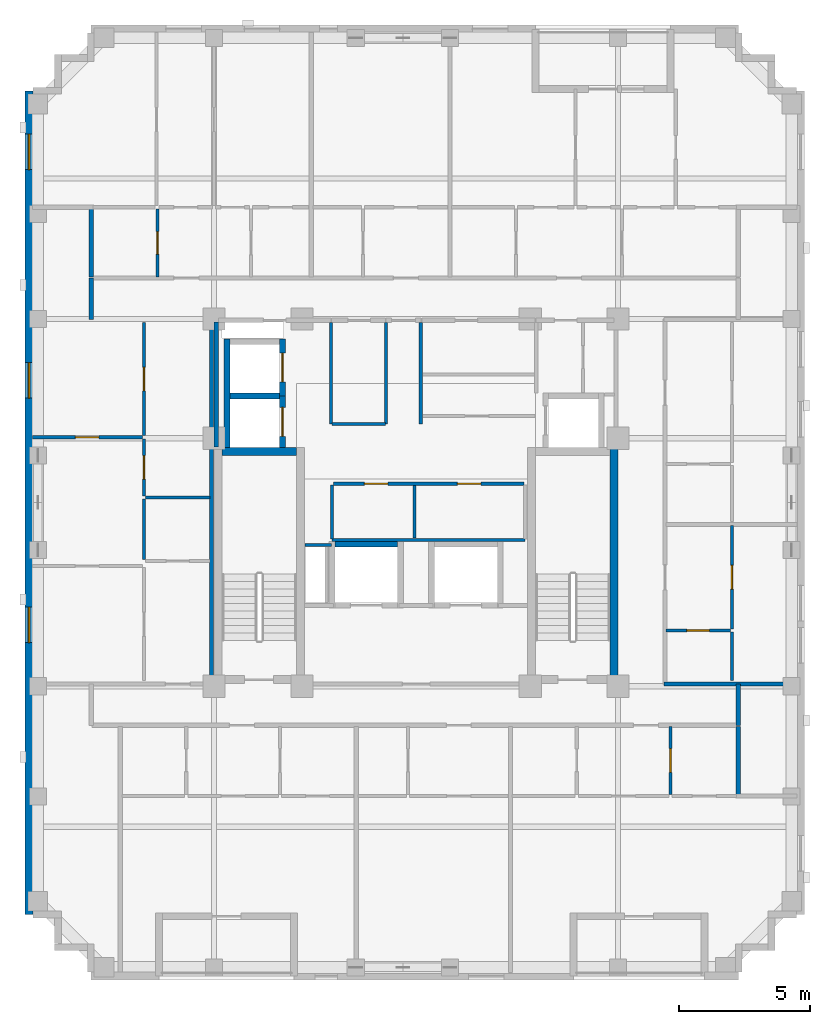
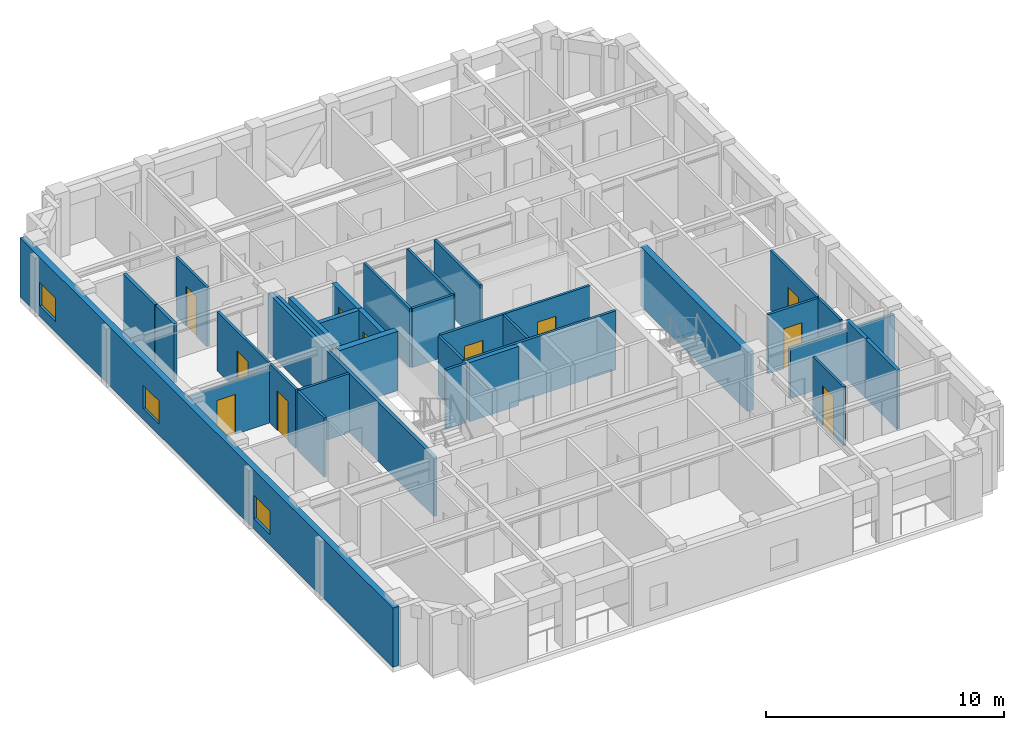
# One storey, part 4 of 11: 34 walls, 11 doors, 3 windows, 14 openings.
"""IFC4 building model written with IfcOpenShell, lengths in metres."""

from ifc_helpers import new_model, si_unit, derived_unit, direction, frame, frame_2d, origin, place, context, subcontext, project, spatial, rectangle, extrude, material, layer, layer_set, type_object, element, fill, save


model = new_model("IFC4")

# Units and contexts
model_context = context("Model", 3, precision=1e-05, world=origin(), true_north=direction((0.0, 1.0)))
body_context = subcontext(model_context, "Body", "Model", "MODEL_VIEW")
ifc_project = project(units=[si_unit("LENGTHUNIT", "METRE"), si_unit("AREAUNIT", "SQUARE_METRE"), si_unit("VOLUMEUNIT", "CUBIC_METRE"), si_unit("PLANEANGLEUNIT", "RADIAN"), si_unit("MASSUNIT", "GRAM", prefix="KILO"), derived_unit("THERMALTRANSMITTANCEUNIT", [(si_unit("MASSUNIT", "GRAM", prefix="KILO"), 1), (si_unit("TIMEUNIT", "SECOND"), -3), (si_unit("THERMODYNAMICTEMPERATUREUNIT", "KELVIN"), -1)])], contexts=[model_context])

# Site, building, storey
site_placement = place(None, origin())
site = spatial("IfcSite", under=ifc_project, at=site_placement, CompositionType="ELEMENT")
building_placement = place(site_placement, origin())
building = spatial("IfcBuilding", under=site, at=building_placement, Name="Korrvale Station Residences", CompositionType="ELEMENT")
storey_placement = place(building_placement, frame((0.0, 0.0, 210.699951171875)))
storey = spatial("IfcBuildingStorey", under=building, at=storey_placement, Name="L61", CompositionType="ELEMENT", Elevation=210.699951171875)

# Walls
ifc_material_1 = material(Name="Concrete C50/60", Category="concrete")
ifc_layer_1 = layer(ifc_material_1, 0.300048828125, Name="Concrete C50/60")
ifc_layer_set_1 = layer_set([ifc_layer_1], Name="Concrete C50/60")
wall_type_1 = type_object("IfcWallType", Name="WAL-CORE-300-C50", PredefinedType="SHEAR", material=ifc_layer_set_1)
wall_1_placement = place(storey_placement, frame((18.10009765625, 23.949951171875, 0.0), z_axis=(0.0, 0.0, 1.0), x_axis=(1.0, 0.0, 0.0)))
element("IfcWall", 1, at=wall_1_placement, inside=storey, type_object=wall_type_1, Name="L61 ST-1 Core Shear Wall North", PredefinedType="SHEAR", context=body_context, shape_type="SweptSolid", body=[
    extrude(rectangle(XDim=2.849853515625, YDim=0.300048828125, at=frame_2d((1.4248046875, 0.0))), origin(), (0.0, 0.0, 1.0), 3.0400390625),
])
wall_2_placement = place(storey_placement, frame((33.050048828125, 15.10009765625, 0.0), z_axis=(0.0, 0.0, 1.0), x_axis=(0.0, 1.0, 0.0)))
element("IfcWall", 2, at=wall_2_placement, inside=storey, type_object=wall_type_1, Name="L61 ST-2 Core Shear Wall East", PredefinedType="SHEAR", context=body_context, shape_type="SweptSolid", body=[
    extrude(rectangle(XDim=9.0, YDim=0.300048828125, at=frame_2d((4.5, 0.0))), origin(), (0.0, 0.0, 1.0), 3.0400390625),
])

# Wall, openings, windows
ifc_material_2 = material(Name="Precast concrete C45/55", Category="concrete")
ifc_layer_2 = layer(ifc_material_2, 0.300048828125, Name="Precast concrete C45/55")
ifc_layer_set_2 = layer_set([ifc_layer_2], Name="Precast concrete C45/55")
wall_type_2 = type_object("IfcWallType", Name="WAL-EXT-PC300", PredefinedType="SOLIDWALL", material=ifc_layer_set_2)
wall_3_placement = place(storey_placement, frame((10.75, 6.300048828125, 0.0), z_axis=(0.0, 0.0, 1.0), x_axis=(0.0, 1.0, 0.0)))
wall_3 = element("IfcWall", 3, at=wall_3_placement, inside=storey, type_object=wall_type_2, Name="L61 West Exterior Precast Wall 1", PredefinedType="SOLIDWALL", context=body_context, shape_type="SweptSolid", body=[
    extrude(rectangle(XDim=31.39990234375, YDim=0.300048828125, at=frame_2d((15.699951171875, 0.0))), origin(), (0.0, 0.0, 1.0), 3.0400390625),
])
opening_1_placement = place(wall_3_placement, frame((28.39599609375, 0.0, 0.550048828125)))
opening_1 = element("IfcOpeningElement", 4, at=opening_1_placement, cuts=wall_3, Name="Opening W-10", PredefinedType="OPENING", context=body_context, shape_type="SweptSolid", body=[
    extrude(rectangle(XDim=1.35009765625, YDim=1.199951171875, at=frame_2d((0.675048828125, 0.60009765625))), frame((0.0, 0.16015625, 0.0), z_axis=(0.0, -1.0, 0.0), x_axis=(1.0, 0.0, 0.0)), (0.0, 0.0, 1.0), 0.320068359375),
])
opening_2_placement = place(wall_3_placement, frame((10.366943359375, 0.0, 0.550048828125)))
opening_2 = element("IfcOpeningElement", 5, at=opening_2_placement, cuts=wall_3, Name="Opening W-10", PredefinedType="OPENING", context=body_context, shape_type="SweptSolid", body=[
    extrude(rectangle(XDim=1.35009765625, YDim=1.199951171875, at=frame_2d((0.675048828125, 0.60009765625))), frame((0.0, 0.16015625, 0.0), z_axis=(0.0, -1.0, 0.0), x_axis=(1.0, 0.0, 0.0)), (0.0, 0.0, 1.0), 0.320068359375),
])
opening_3_placement = place(wall_3_placement, frame((19.68310546875, 0.0, 0.550048828125)))
opening_3 = element("IfcOpeningElement", 6, at=opening_3_placement, cuts=wall_3, Name="Opening W-10", PredefinedType="OPENING", context=body_context, shape_type="SweptSolid", body=[
    extrude(rectangle(XDim=1.35009765625, YDim=1.199951171875, at=frame_2d((0.675048828125, 0.60009765625))), frame((0.0, 0.16015625, 0.0), z_axis=(0.0, -1.0, 0.0), x_axis=(1.0, 0.0, 0.0)), (0.0, 0.0, 1.0), 0.320068359375),
])
ifc_material_3 = material(Name="Thermally broken aluminium frame with triple low-e glazing", Category="aluminium")
window_type = type_object("IfcWindowType", Name="WIN-W10", PartitioningType="SINGLE_PANEL", PredefinedType="WINDOW", material=ifc_material_3)
window_1_placement = place(opening_1_placement, origin())
window_1 = element("IfcWindow", 7, at=window_1_placement, inside=storey, type_object=window_type, Name="L61 Punched Window 04", OverallHeight=1.199951171875, OverallWidth=1.35009765625, PartitioningType="SINGLE_PANEL", PredefinedType="WINDOW", context=body_context, shape_type="SweptSolid", body=[
    extrude(rectangle(XDim=1.35009765625, YDim=1.199951171875, at=frame_2d((0.675048828125, 0.60009765625))), frame((0.0, 0.030029296875, 0.0), z_axis=(0.0, -1.0, 0.0), x_axis=(1.0, 0.0, 0.0)), (0.0, 0.0, 1.0), 0.06005859375),
])
fill(opening_1, window_1)
window_2_placement = place(opening_2_placement, origin())
window_2 = element("IfcWindow", 8, at=window_2_placement, inside=storey, type_object=window_type, Name="L61 Punched Window 11", OverallHeight=1.199951171875, OverallWidth=1.35009765625, PartitioningType="SINGLE_PANEL", PredefinedType="WINDOW", context=body_context, shape_type="SweptSolid", body=[
    extrude(rectangle(XDim=1.35009765625, YDim=1.199951171875, at=frame_2d((0.675048828125, 0.60009765625))), frame((0.0, 0.030029296875, 0.0), z_axis=(0.0, -1.0, 0.0), x_axis=(1.0, 0.0, 0.0)), (0.0, 0.0, 1.0), 0.06005859375),
])
fill(opening_2, window_2)
window_3_placement = place(opening_3_placement, origin())
window_3 = element("IfcWindow", 9, at=window_3_placement, inside=storey, type_object=window_type, Name="L61 Punched Window 12", OverallHeight=1.199951171875, OverallWidth=1.35009765625, PartitioningType="SINGLE_PANEL", PredefinedType="WINDOW", context=body_context, shape_type="SweptSolid", body=[
    extrude(rectangle(XDim=1.35009765625, YDim=1.199951171875, at=frame_2d((0.675048828125, 0.60009765625))), frame((0.0, 0.030029296875, 0.0), z_axis=(0.0, -1.0, 0.0), x_axis=(1.0, 0.0, 0.0)), (0.0, 0.0, 1.0), 0.06005859375),
])
fill(opening_3, window_3)

# Walls
ifc_material_4 = material(Name="Acoustic steel-stud gypsum board partition", Category="steel")
ifc_layer_3 = layer(ifc_material_4, 0.1201171875, Name="Acoustic steel-stud gypsum board partition")
ifc_layer_set_3 = layer_set([ifc_layer_3], Name="Acoustic steel-stud gypsum board partition")
wall_type_3 = type_object("IfcWallType", Name="WAL-PART-125", PredefinedType="PARTITIONING", material=ifc_layer_set_3)
wall_4_placement = place(storey_placement, frame((22.280029296875, 20.3798828125, 0.0), z_axis=(0.0, 0.0, 1.0), x_axis=(-1.0, 0.0, 0.0)))
element("IfcWall", 10, at=wall_4_placement, inside=storey, type_object=wall_type_3, Name="L61 Core Partition CW-RSWT-N", PredefinedType="PARTITIONING", context=body_context, shape_type="SweptSolid", body=[
    extrude(rectangle(XDim=1.02001953125, YDim=0.1201171875, at=frame_2d((0.510009765625, 0.0))), origin(), (0.0, 0.0, 1.0), 3.0400390625),
])
for number, where, z_axis, x_axis, name in (
    (11, (24.360107421875, 25.0, 0.0), (0.0, 0.0, 1.0), (0.0, 1.0, 0.0), "L61 Core Partition CW-PSG-W"),
    (12, (25.679931640625, 25.0, 0.0), (0.0, 0.0, 1.0), (0.0, 1.0, 0.0), "L61 Core Partition CW-PSG-E"),
):
    element("IfcWall", number, at=place(storey_placement, frame(where, z_axis=z_axis, x_axis=x_axis)), inside=storey, type_object=wall_type_3, Name=name, PredefinedType="PARTITIONING", context=body_context, shape_type="SweptSolid", body=[
        extrude(rectangle(XDim=3.8701171875, YDim=0.1201171875, at=frame_2d((1.93505859375, 0.0))), origin(), (0.0, 0.0, 1.0), 3.0400390625),
    ])
wall_5_placement = place(storey_placement, frame((22.260009765625, 25.0, 0.0), z_axis=(0.0, 0.0, 1.0), x_axis=(0.0, 1.0, 0.0)))
element("IfcWall", 13, at=wall_5_placement, inside=storey, type_object=wall_type_3, Name="L61 Core Partition CW-FPLW-W", PredefinedType="PARTITIONING", context=body_context, shape_type="SweptSolid", body=[
    extrude(rectangle(XDim=3.860107421875, YDim=0.1201171875, at=frame_2d((1.93017578125, 0.0))), origin(), (0.0, 0.0, 1.0), 3.0400390625),
])
wall_6_placement = place(storey_placement, frame((22.300048828125, 25.0, 0.0), z_axis=(0.0, 0.0, 1.0), x_axis=(1.0, 0.0, 0.0)))
element("IfcWall", 14, at=wall_6_placement, inside=storey, type_object=wall_type_3, Name="L61 Core Partition CW-FPLW-S", PredefinedType="PARTITIONING", context=body_context, shape_type="SweptSolid", body=[
    extrude(rectangle(XDim=2.0400390625, YDim=0.1201171875, at=frame_2d((1.02001953125, 0.0))), origin(), (0.0, 0.0, 1.0), 3.0400390625),
])
wall_7_placement = place(storey_placement, frame((22.300048828125, 20.580078125, 0.0), z_axis=(0.0, 0.0, 1.0), x_axis=(1.0, 0.0, 0.0)))
element("IfcWall", 15, at=wall_7_placement, inside=storey, type_object=wall_type_3, Name="L61 Core Partition CW-FPM-S", PredefinedType="PARTITIONING", context=body_context, shape_type="SweptSolid", body=[
    extrude(rectangle(XDim=7.349853515625, YDim=0.1201171875, at=frame_2d((3.6748046875, 0.0))), origin(), (0.0, 0.0, 1.0), 3.0400390625),
])
wall_8_placement = place(storey_placement, frame((22.300048828125, 20.6201171875, 0.0), z_axis=(0.0, 0.0, 1.0), x_axis=(0.0, 1.0, 0.0)))
element("IfcWall", 16, at=wall_8_placement, inside=storey, type_object=wall_type_3, Name="L61 Core Partition CW-FPM-W", PredefinedType="PARTITIONING", context=body_context, shape_type="SweptSolid", body=[
    extrude(rectangle(XDim=2.059814453125, YDim=0.1201171875, at=frame_2d((1.02978515625, 0.0))), origin(), (0.0, 0.0, 1.0), 3.0400390625),
])
wall_9_placement = place(storey_placement, frame((25.43994140625, 20.64990234375, 0.0), z_axis=(0.0, 0.0, 1.0), x_axis=(0.0, 1.0, 0.0)))
element("IfcWall", 17, at=wall_9_placement, inside=storey, type_object=wall_type_3, Name="L61 Core Partition CW-FPM-M", PredefinedType="PARTITIONING", context=body_context, shape_type="SweptSolid", body=[
    extrude(rectangle(XDim=2.0, YDim=0.1201171875, at=frame_2d((1.0, 0.0))), origin(), (0.0, 0.0, 1.0), 3.0400390625),
])

# Wall, openings, doors
wall_10_placement = place(storey_placement, frame((22.35009765625, 22.719970703125, 0.0), z_axis=(0.0, 0.0, 1.0), x_axis=(1.0, 0.0, 0.0)))
wall_10 = element("IfcWall", 18, at=wall_10_placement, inside=storey, type_object=wall_type_3, Name="L61 Core Partition CW-FPM-N", PredefinedType="PARTITIONING", context=body_context, shape_type="SweptSolid", body=[
    extrude(rectangle(XDim=7.27001953125, YDim=0.1201171875, at=frame_2d((3.635009765625, 0.0))), origin(), (0.0, 0.0, 1.0), 3.0400390625),
])
opening_4_placement = place(wall_10_placement, frame((1.175048828125, 0.0, 0.0)))
opening_4 = element("IfcOpeningElement", 19, at=opening_4_placement, cuts=wall_10, Name="Opening DI-900", PredefinedType="OPENING", context=body_context, shape_type="SweptSolid", body=[
    extrude(rectangle(XDim=0.89990234375, YDim=2.050048828125, at=frame_2d((0.449951171875, 1.02490234375))), frame((0.0, 0.070068359375, 0.0), z_axis=(0.0, -1.0, 0.0), x_axis=(1.0, 0.0, 0.0)), (0.0, 0.0, 1.0), 0.14013671875),
])
opening_5_placement = place(wall_10_placement, frame((4.72509765625, 0.0, 0.0)))
opening_5 = element("IfcOpeningElement", 20, at=opening_5_placement, cuts=wall_10, Name="Opening DI-900", PredefinedType="OPENING", context=body_context, shape_type="SweptSolid", body=[
    extrude(rectangle(XDim=0.89990234375, YDim=2.050048828125, at=frame_2d((0.449951171875, 1.02490234375))), frame((0.0, 0.070068359375, 0.0), z_axis=(0.0, -1.0, 0.0), x_axis=(1.0, 0.0, 0.0)), (0.0, 0.0, 1.0), 0.14013671875),
])
ifc_material_5 = material(Name="Painted solid-core timber interior room door", Category="wood")
door_type_1 = type_object("IfcDoorType", Name="DR-INT-900", OperationType="NOTDEFINED", PredefinedType="DOOR", material=ifc_material_5)
door_1_placement = place(opening_4_placement, origin())
door_1 = element("IfcDoor", 21, at=door_1_placement, inside=storey, type_object=door_type_1, Name="L61 Sky Pantry Door", OperationType="SINGLE_SWING_RIGHT", OverallHeight=2.050048828125, OverallWidth=0.89990234375, PredefinedType="DOOR", context=body_context, shape_type="SweptSolid", body=[
    extrude(rectangle(XDim=0.89990234375, YDim=2.050048828125, at=frame_2d((0.449951171875, 1.02490234375))), frame((0.0, 0.02490234375, 0.0), z_axis=(0.0, -1.0, 0.0), x_axis=(1.0, 0.0, 0.0)), (0.0, 0.0, 1.0), 0.050048828125),
])
fill(opening_4, door_1)
door_2_placement = place(opening_5_placement, origin())
door_2 = element("IfcDoor", 22, at=door_2_placement, inside=storey, type_object=door_type_1, Name="L61 Concierge Supply Door", OperationType="SINGLE_SWING_LEFT", OverallHeight=2.050048828125, OverallWidth=0.89990234375, PredefinedType="DOOR", context=body_context, shape_type="SweptSolid", body=[
    extrude(rectangle(XDim=0.89990234375, YDim=2.050048828125, at=frame_2d((0.449951171875, 1.02490234375))), frame((0.0, 0.02490234375, 0.0), z_axis=(0.0, -1.0, 0.0), x_axis=(1.0, 0.0, 0.0)), (0.0, 0.0, 1.0), 0.050048828125),
])
fill(opening_5, door_2)

# Wall, opening, door
wall_11_placement = place(storey_placement, frame((35.195068359375, 10.8701171875, 0.0), z_axis=(0.0, 0.0, 1.0), x_axis=(0.0, 1.0, 0.0)))
wall_11 = element("IfcWall", 23, at=wall_11_placement, inside=storey, type_object=wall_type_3, Name="L61 Suite Partition U03-V12", PredefinedType="PARTITIONING", context=body_context, shape_type="SweptSolid", body=[
    extrude(rectangle(XDim=2.599853515625, YDim=0.1201171875, at=frame_2d((1.2998046875, 0.0))), origin(), (0.0, 0.0, 1.0), 3.0400390625),
])
opening_6_placement = place(wall_11_placement, frame((0.85009765625, 0.0, 0.0)))
opening_6 = element("IfcOpeningElement", 24, at=opening_6_placement, cuts=wall_11, Name="Opening DI-900", PredefinedType="OPENING", context=body_context, shape_type="SweptSolid", body=[
    extrude(rectangle(XDim=0.89990234375, YDim=2.050048828125, at=frame_2d((0.449951171875, 1.02490234375))), frame((0.0, 0.070068359375, 0.0), z_axis=(0.0, -1.0, 0.0), x_axis=(1.0, 0.0, 0.0)), (0.0, 0.0, 1.0), 0.14013671875),
])
door_3_placement = place(opening_6_placement, origin())
door_3 = element("IfcDoor", 25, at=door_3_placement, inside=storey, type_object=door_type_1, Name="L61 Studio Apartment L61-U03 Kitchen Door", OperationType="SINGLE_SWING_LEFT", OverallHeight=2.050048828125, OverallWidth=0.89990234375, PredefinedType="DOOR", context=body_context, shape_type="SweptSolid", body=[
    extrude(rectangle(XDim=0.89990234375, YDim=2.050048828125, at=frame_2d((0.449951171875, 1.02490234375))), frame((0.0, 0.02490234375, 0.0), z_axis=(0.0, -1.0, 0.0), x_axis=(1.0, 0.0, 0.0)), (0.0, 0.0, 1.0), 0.050048828125),
])
fill(opening_6, door_3)

wall_12_placement = place(storey_placement, frame((15.639892578125, 30.60009765625, 0.0), z_axis=(0.0, 0.0, 1.0), x_axis=(0.0, 1.0, 0.0)))
wall_12 = element("IfcWall", 26, at=wall_12_placement, inside=storey, type_object=wall_type_3, Name="L61 Suite Partition U04-V01", PredefinedType="PARTITIONING", context=body_context, shape_type="SweptSolid", body=[
    extrude(rectangle(XDim=2.599853515625, YDim=0.1201171875, at=frame_2d((1.2998046875, 0.0))), origin(), (0.0, 0.0, 1.0), 3.0400390625),
])
opening_7_placement = place(wall_12_placement, frame((0.8701171875, 0.0, 0.0)))
opening_7 = element("IfcOpeningElement", 27, at=opening_7_placement, cuts=wall_12, Name="Opening DB-860", PredefinedType="OPENING", context=body_context, shape_type="SweptSolid", body=[
    extrude(rectangle(XDim=0.860107421875, YDim=2.050048828125, at=frame_2d((0.43017578125, 1.02490234375))), frame((0.0, 0.070068359375, 0.0), z_axis=(0.0, -1.0, 0.0), x_axis=(1.0, 0.0, 0.0)), (0.0, 0.0, 1.0), 0.14013671875),
])
ifc_material_6 = material(Name="Moisture-resistant solid-core bathroom door", Category="timber")
door_type_2 = type_object("IfcDoorType", Name="DR-BATH-860", OperationType="NOTDEFINED", PredefinedType="DOOR", material=ifc_material_6)
door_4_placement = place(opening_7_placement, origin())
door_4 = element("IfcDoor", 28, at=door_4_placement, inside=storey, type_object=door_type_2, Name="L61 Apartment 2BR L61-U04 Bathroom Door", OperationType="SINGLE_SWING_RIGHT", OverallHeight=2.050048828125, OverallWidth=0.860107421875, PredefinedType="DOOR", context=body_context, shape_type="SweptSolid", body=[
    extrude(rectangle(XDim=0.860107421875, YDim=2.050048828125, at=frame_2d((0.43017578125, 1.02490234375))), frame((0.0, 0.02490234375, 0.0), z_axis=(0.0, -1.0, 0.0), x_axis=(1.0, 0.0, 0.0)), (0.0, 0.0, 1.0), 0.050048828125),
])
fill(opening_7, door_4)

# Wall
wall_13_placement = place(storey_placement, frame((15.18994140625, 22.18994140625, 0.0), z_axis=(0.0, 0.0, 1.0), x_axis=(1.0, 0.0, 0.0)))
element("IfcWall", 29, at=wall_13_placement, inside=storey, type_object=wall_type_3, Name="L61 Suite Partition U07-H01", PredefinedType="PARTITIONING", context=body_context, shape_type="SweptSolid", body=[
    extrude(rectangle(XDim=2.449951171875, YDim=0.1201171875, at=frame_2d((1.22509765625, 0.0))), origin(), (0.0, 0.0, 1.0), 3.0400390625),
])

# Wall, opening, door
wall_14_placement = place(storey_placement, frame((15.1298828125, 22.25, 0.0), z_axis=(0.0, 0.0, 1.0), x_axis=(0.0, 1.0, 0.0)))
wall_14 = element("IfcWall", 30, at=wall_14_placement, inside=storey, type_object=wall_type_3, Name="L61 Suite Partition U07-V04", PredefinedType="PARTITIONING", context=body_context, shape_type="SweptSolid", body=[
    extrude(rectangle(XDim=2.181884765625, YDim=0.1201171875, at=frame_2d((1.0908203125, 0.0))), origin(), (0.0, 0.0, 1.0), 3.0400390625),
])
opening_8_placement = place(wall_14_placement, frame((0.64111328125, 0.0, 0.0)))
opening_8 = element("IfcOpeningElement", 31, at=opening_8_placement, cuts=wall_14, Name="Opening DI-900", PredefinedType="OPENING", context=body_context, shape_type="SweptSolid", body=[
    extrude(rectangle(XDim=0.89990234375, YDim=2.050048828125, at=frame_2d((0.449951171875, 1.02490234375))), frame((0.0, 0.070068359375, 0.0), z_axis=(0.0, -1.0, 0.0), x_axis=(1.0, 0.0, 0.0)), (0.0, 0.0, 1.0), 0.14013671875),
])
door_5_placement = place(opening_8_placement, origin())
door_5 = element("IfcDoor", 32, at=door_5_placement, inside=storey, type_object=door_type_1, Name="L61 Apartment 2BR L61-U07 Wardrobe Storage Room Door", OperationType="SINGLE_SWING_RIGHT", OverallHeight=2.050048828125, OverallWidth=0.89990234375, PredefinedType="DOOR", context=body_context, shape_type="SweptSolid", body=[
    extrude(rectangle(XDim=0.89990234375, YDim=2.050048828125, at=frame_2d((0.449951171875, 1.02490234375))), frame((0.0, 0.02490234375, 0.0), z_axis=(0.0, -1.0, 0.0), x_axis=(1.0, 0.0, 0.0)), (0.0, 0.0, 1.0), 0.050048828125),
])
fill(opening_8, door_5)

wall_15_placement = place(storey_placement, frame((15.1298828125, 24.552001953125, 0.0), z_axis=(0.0, 0.0, 1.0), x_axis=(0.0, 1.0, 0.0)))
wall_15 = element("IfcWall", 33, at=wall_15_placement, inside=storey, type_object=wall_type_3, Name="L61 Suite Partition U07-V05", PredefinedType="PARTITIONING", context=body_context, shape_type="SweptSolid", body=[
    extrude(rectangle(XDim=4.30810546875, YDim=0.1201171875, at=frame_2d((2.154052734375, 0.0))), origin(), (0.0, 0.0, 1.0), 3.0400390625),
])
opening_9_placement = place(wall_15_placement, frame((1.7041015625, 0.0, 0.0)))
opening_9 = element("IfcOpeningElement", 34, at=opening_9_placement, cuts=wall_15, Name="Opening DI-900", PredefinedType="OPENING", context=body_context, shape_type="SweptSolid", body=[
    extrude(rectangle(XDim=0.89990234375, YDim=2.050048828125, at=frame_2d((0.449951171875, 1.02490234375))), frame((0.0, 0.070068359375, 0.0), z_axis=(0.0, -1.0, 0.0), x_axis=(1.0, 0.0, 0.0)), (0.0, 0.0, 1.0), 0.14013671875),
])
door_6_placement = place(opening_9_placement, origin())
door_6 = element("IfcDoor", 35, at=door_6_placement, inside=storey, type_object=door_type_1, Name="L61 Apartment 2BR L61-U07 Wardrobe Storage Room Door", OperationType="SINGLE_SWING_LEFT", OverallHeight=2.050048828125, OverallWidth=0.89990234375, PredefinedType="DOOR", context=body_context, shape_type="SweptSolid", body=[
    extrude(rectangle(XDim=0.89990234375, YDim=2.050048828125, at=frame_2d((0.449951171875, 1.02490234375))), frame((0.0, 0.02490234375, 0.0), z_axis=(0.0, -1.0, 0.0), x_axis=(1.0, 0.0, 0.0)), (0.0, 0.0, 1.0), 0.050048828125),
])
fill(opening_9, door_6)

# Wall
wall_16_placement = place(storey_placement, frame((15.1298828125, 19.830078125, 0.0), z_axis=(0.0, 0.0, 1.0), x_axis=(0.0, 1.0, 0.0)))
element("IfcWall", 36, at=wall_16_placement, inside=storey, type_object=wall_type_3, Name="L61 Suite Partition U07-V14", PredefinedType="PARTITIONING", context=body_context, shape_type="SweptSolid", body=[
    extrude(rectangle(XDim=2.2998046875, YDim=0.1201171875, at=frame_2d((1.14990234375, 0.0))), origin(), (0.0, 0.0, 1.0), 3.0400390625),
])

# Wall, opening, door
wall_17_placement = place(storey_placement, frame((10.8798828125, 24.491943359375, 0.0), z_axis=(0.0, 0.0, 1.0), x_axis=(1.0, 0.0, 0.0)))
wall_17 = element("IfcWall", 37, at=wall_17_placement, inside=storey, type_object=wall_type_3, Name="L61 Suite Partition U07-H45", PredefinedType="PARTITIONING", context=body_context, shape_type="SweptSolid", body=[
    extrude(rectangle(XDim=4.190185546875, YDim=0.1201171875, at=frame_2d((2.09521484375, 0.0))), origin(), (0.0, 0.0, 1.0), 2.72216796875),
])
opening_10_placement = place(wall_17_placement, frame((1.6298828125, 0.0, 0.0)))
opening_10 = element("IfcOpeningElement", 38, at=opening_10_placement, cuts=wall_17, Name="Opening DI-900", PredefinedType="OPENING", context=body_context, shape_type="SweptSolid", body=[
    extrude(rectangle(XDim=0.89990234375, YDim=2.050048828125, at=frame_2d((0.449951171875, 1.02490234375))), frame((0.0, 0.070068359375, 0.0), z_axis=(0.0, -1.0, 0.0), x_axis=(1.0, 0.0, 0.0)), (0.0, 0.0, 1.0), 0.14013671875),
])
door_7_placement = place(opening_10_placement, origin())
door_7 = element("IfcDoor", 39, at=door_7_placement, inside=storey, type_object=door_type_1, Name="L61 Apartment 2BR L61-U07 Living and Dining Room Door", OperationType="SINGLE_SWING_LEFT", OverallHeight=2.050048828125, OverallWidth=0.89990234375, PredefinedType="DOOR", context=body_context, shape_type="SweptSolid", body=[
    extrude(rectangle(XDim=0.89990234375, YDim=2.050048828125, at=frame_2d((0.449951171875, 1.02490234375))), frame((0.0, 0.02490234375, 0.0), z_axis=(0.0, -1.0, 0.0), x_axis=(1.0, 0.0, 0.0)), (0.0, 0.0, 1.0), 0.050048828125),
])
fill(opening_10, door_7)

wall_18_placement = place(storey_placement, frame((35.030029296875, 17.1201171875, 0.0), z_axis=(0.0, 0.0, 1.0), x_axis=(1.0, 0.0, 0.0)))
wall_18 = element("IfcWall", 40, at=wall_18_placement, inside=storey, type_object=wall_type_3, Name="L61 Suite Partition U08-H01", PredefinedType="PARTITIONING", context=body_context, shape_type="SweptSolid", body=[
    extrude(rectangle(XDim=2.449951171875, YDim=0.1201171875, at=frame_2d((1.22509765625, 0.0))), origin(), (0.0, 0.0, 1.0), 3.0400390625),
])
opening_11_placement = place(wall_18_placement, frame((0.794921875, 0.0, 0.0)))
opening_11 = element("IfcOpeningElement", 41, at=opening_11_placement, cuts=wall_18, Name="Opening DB-860", PredefinedType="OPENING", context=body_context, shape_type="SweptSolid", body=[
    extrude(rectangle(XDim=0.860107421875, YDim=2.050048828125, at=frame_2d((0.43017578125, 1.02490234375))), frame((0.0, 0.070068359375, 0.0), z_axis=(0.0, -1.0, 0.0), x_axis=(1.0, 0.0, 0.0)), (0.0, 0.0, 1.0), 0.14013671875),
])
door_8_placement = place(opening_11_placement, origin())
door_8 = element("IfcDoor", 42, at=door_8_placement, inside=storey, type_object=door_type_2, Name="L61 Apartment 1BR L61-U08 Bathroom Door", OperationType="SINGLE_SWING_RIGHT", OverallHeight=2.050048828125, OverallWidth=0.860107421875, PredefinedType="DOOR", context=body_context, shape_type="SweptSolid", body=[
    extrude(rectangle(XDim=0.860107421875, YDim=2.050048828125, at=frame_2d((0.43017578125, 1.02490234375))), frame((0.0, 0.02490234375, 0.0), z_axis=(0.0, -1.0, 0.0), x_axis=(1.0, 0.0, 0.0)), (0.0, 0.0, 1.0), 0.050048828125),
])
fill(opening_11, door_8)

# Wall
wall_19_placement = place(storey_placement, frame((37.5400390625, 15.2099609375, 0.0), z_axis=(0.0, 0.0, 1.0), x_axis=(0.0, 1.0, 0.0)))
element("IfcWall", 43, at=wall_19_placement, inside=storey, type_object=wall_type_3, Name="L61 Suite Partition U08-V02", PredefinedType="PARTITIONING", context=body_context, shape_type="SweptSolid", body=[
    extrude(rectangle(XDim=1.85009765625, YDim=0.1201171875, at=frame_2d((0.925048828125, 0.0))), origin(), (0.0, 0.0, 1.0), 3.0400390625),
])

# Wall, opening, door
wall_20_placement = place(storey_placement, frame((37.5400390625, 17.179931640625, 0.0), z_axis=(0.0, 0.0, 1.0), x_axis=(0.0, 1.0, 0.0)))
wall_20 = element("IfcWall", 44, at=wall_20_placement, inside=storey, type_object=wall_type_3, Name="L61 Suite Partition U08-V12", PredefinedType="PARTITIONING", context=body_context, shape_type="SweptSolid", body=[
    extrude(rectangle(XDim=3.946044921875, YDim=0.1201171875, at=frame_2d((1.97314453125, 0.0))), origin(), (0.0, 0.0, 1.0), 3.0400390625),
])
opening_12_placement = place(wall_20_placement, frame((1.52294921875, 0.0, 0.0)))
opening_12 = element("IfcOpeningElement", 45, at=opening_12_placement, cuts=wall_20, Name="Opening DI-900", PredefinedType="OPENING", context=body_context, shape_type="SweptSolid", body=[
    extrude(rectangle(XDim=0.89990234375, YDim=2.050048828125, at=frame_2d((0.449951171875, 1.02490234375))), frame((0.0, 0.070068359375, 0.0), z_axis=(0.0, -1.0, 0.0), x_axis=(1.0, 0.0, 0.0)), (0.0, 0.0, 1.0), 0.14013671875),
])
door_9_placement = place(opening_12_placement, origin())
door_9 = element("IfcDoor", 46, at=door_9_placement, inside=storey, type_object=door_type_1, Name="L61 Apartment 1BR L61-U08 Kitchen Door", OperationType="SINGLE_SWING_LEFT", OverallHeight=2.050048828125, OverallWidth=0.89990234375, PredefinedType="DOOR", context=body_context, shape_type="SweptSolid", body=[
    extrude(rectangle(XDim=0.89990234375, YDim=2.050048828125, at=frame_2d((0.449951171875, 1.02490234375))), frame((0.0, 0.02490234375, 0.0), z_axis=(0.0, -1.0, 0.0), x_axis=(1.0, 0.0, 0.0)), (0.0, 0.0, 1.0), 0.050048828125),
])
fill(opening_12, door_9)

# Walls
ifc_material_7 = material(Name="Fire-rated twin-stud gypsum and mineral wool shaftwall assembly", Category="gypsum")
ifc_layer_4 = layer(ifc_material_7, 0.159912109375, Name="Fire-rated twin-stud gypsum and mineral wool shaftwall assembly")
ifc_layer_set_4 = layer_set([ifc_layer_4], Name="Fire-rated twin-stud gypsum and mineral wool shaftwall assembly")
wall_type_4 = type_object("IfcWallType", Name="WAL-PART-200", PredefinedType="PARTITIONING", material=ifc_layer_set_4)
wall_21_placement = place(storey_placement, frame((17.8798828125, 24.1201171875, 0.0), z_axis=(0.0, 0.0, 1.0), x_axis=(0.0, 1.0, 0.0)))
element("IfcWall", 47, at=wall_21_placement, inside=storey, type_object=wall_type_4, Name="L61 Core Partition CW-W-N", PredefinedType="PARTITIONING", context=body_context, shape_type="SweptSolid", body=[
    extrude(rectangle(XDim=4.759765625, YDim=0.159912109375, at=frame_2d((2.3798828125, 0.0))), origin(), (0.0, 0.0, 1.0), 3.0400390625),
])
for number, where, z_axis, x_axis, name in (
    (48, (37.780029296875, 13.510009765625, 0.0), (0.0, 0.0, 1.0), (0.0, 1.0, 0.0), "L61 Corridor South East Cap"),
    (49, (13.1201171875, 28.97998046875, 0.0), (0.0, 0.0, 1.0), (0.0, 1.0, 0.0), "L61 Corridor North West Cap"),
):
    element("IfcWall", number, at=place(storey_placement, frame(where, z_axis=z_axis, x_axis=x_axis)), inside=storey, type_object=wall_type_4, Name=name, PredefinedType="PARTITIONING", context=body_context, shape_type="SweptSolid", body=[
        extrude(rectangle(XDim=1.580078125, YDim=0.159912109375, at=frame_2d((0.7900390625, 0.0))), origin(), (0.0, 0.0, 1.0), 3.0400390625),
    ])
wall_22_placement = place(storey_placement, frame((34.949951171875, 15.090087890625, 0.0), z_axis=(0.0, 0.0, 1.0), x_axis=(1.0, 0.0, 0.0)))
element("IfcWall", 50, at=wall_22_placement, inside=storey, type_object=wall_type_4, Name="L61 East Wing South Corridor Wall", PredefinedType="PARTITIONING", context=body_context, shape_type="SweptSolid", body=[
    extrude(rectangle(XDim=5.070068359375, YDim=0.159912109375, at=frame_2d((2.53515625, 0.0))), origin(), (0.0, 0.0, 1.0), 2.55615234375),
])
for number, where, z_axis, x_axis, name in (
    (51, (37.780029296875, 10.81005859375, 0.0), (0.0, 0.0, 1.0), (0.0, 1.0, 0.0), "L61 Corner Step Cheek U03-R"),
    (52, (13.1201171875, 30.60009765625, 0.0), (0.0, 0.0, 1.0), (0.0, 1.0, 0.0), "L61 Corner Step Cheek U04-L"),
):
    element("IfcWall", number, at=place(storey_placement, frame(where, z_axis=z_axis, x_axis=x_axis)), inside=storey, type_object=wall_type_4, Name=name, PredefinedType="PARTITIONING", context=body_context, shape_type="SweptSolid", body=[
        extrude(rectangle(XDim=2.659912109375, YDim=0.159912109375, at=frame_2d((1.330078125, 0.0))), origin(), (0.0, 0.0, 1.0), 3.0400390625),
    ])
wall_23_placement = place(storey_placement, frame((17.699951171875, 15.02001953125, 0.0), z_axis=(0.0, 0.0, 1.0), x_axis=(0.0, 1.0, 0.0)))
element("IfcWall", 53, at=wall_23_placement, inside=storey, type_object=wall_type_4, Name="L61 Rated Corridor Wall W", PredefinedType="PARTITIONING", context=body_context, shape_type="SweptSolid", body=[
    extrude(rectangle(XDim=13.97998046875, YDim=0.159912109375, at=frame_2d((6.989990234375, 0.0))), origin(), (0.0, 0.0, 1.0), 3.0400390625),
])
ifc_layer_5 = layer(ifc_material_1, 0.219970703125, Name="Concrete C50/60")
ifc_layer_set_5 = layer_set([ifc_layer_5], Name="Concrete C50/60")
wall_type_5 = type_object("IfcWallType", Name="WAL-SHAFT-220-C50", PredefinedType="SHEAR", material=ifc_layer_set_5)
wall_24_placement = place(storey_placement, frame((18.2900390625, 24.10009765625, 0.0), z_axis=(0.0, 0.0, 1.0), x_axis=(0.0, 1.0, 0.0)))
element("IfcWall", 54, at=wall_24_placement, inside=storey, type_object=wall_type_5, Name="L61 Elevator PH-1 Hoistway Wall West", PredefinedType="SHEAR", context=body_context, shape_type="SweptSolid", body=[
    extrude(rectangle(XDim=4.139892578125, YDim=0.219970703125, at=frame_2d((2.06982421875, 0.0))), origin(), (0.0, 0.0, 1.0), 3.0400390625),
])

# Wall, opening, door
wall_25_placement = place(storey_placement, frame((20.409912109375, 24.10009765625, 0.0), z_axis=(0.0, 0.0, 1.0), x_axis=(0.0, 1.0, 0.0)))
wall_25 = element("IfcWall", 55, at=wall_25_placement, inside=storey, type_object=wall_type_5, Name="L61 Elevator PH-1 Hoistway Wall East", PredefinedType="SHEAR", context=body_context, shape_type="SweptSolid", body=[
    extrude(rectangle(XDim=1.9599609375, YDim=0.219970703125, at=frame_2d((0.97998046875, 0.0))), origin(), (0.0, 0.0, 1.0), 3.0400390625),
])
opening_13_placement = place(wall_25_placement, frame((0.429931640625, 0.0, 0.0)))
opening_13 = element("IfcOpeningElement", 56, at=opening_13_placement, cuts=wall_25, Name="Opening LD-1100", PredefinedType="OPENING", context=body_context, shape_type="SweptSolid", body=[
    extrude(rectangle(XDim=1.10009765625, YDim=2.14990234375, at=frame_2d((0.550048828125, 1.074951171875))), frame((0.0, 0.1201171875, 0.0), z_axis=(0.0, -1.0, 0.0), x_axis=(1.0, 0.0, 0.0)), (0.0, 0.0, 1.0), 0.239990234375),
])
ifc_material_8 = material(Name="Brushed stainless-steel elevator landing sliding door", Category="steel")
door_type_3 = type_object("IfcDoorType", Name="DR-LIFT-1100", OperationType="SLIDING_TO_LEFT", PredefinedType="DOOR", material=ifc_material_8)
door_10_placement = place(opening_13_placement, origin())
door_10 = element("IfcDoor", 57, at=door_10_placement, inside=storey, type_object=door_type_3, Name="L61 Elevator PH-1 Sliding Landing Door", OperationType="SLIDING_TO_LEFT", OverallHeight=2.14990234375, OverallWidth=1.10009765625, PredefinedType="DOOR", context=body_context, shape_type="SweptSolid", body=[
    extrude(rectangle(XDim=1.10009765625, YDim=2.14990234375, at=frame_2d((0.550048828125, 1.074951171875))), frame((0.0, 0.02490234375, 0.0), z_axis=(0.0, -1.0, 0.0), x_axis=(1.0, 0.0, 0.0)), (0.0, 0.0, 1.0), 0.050048828125),
])
fill(opening_13, door_10)

# Wall
wall_26_placement = place(storey_placement, frame((18.39990234375, 26.06005859375, 0.0), z_axis=(0.0, 0.0, 1.0), x_axis=(1.0, 0.0, 0.0)))
element("IfcWall", 58, at=wall_26_placement, inside=storey, type_object=wall_type_5, Name="L61 Elevator PH-2 Hoistway Wall South", PredefinedType="SHEAR", context=body_context, shape_type="SweptSolid", body=[
    extrude(rectangle(XDim=1.900146484375, YDim=0.219970703125, at=frame_2d((0.9501953125, 0.0))), origin(), (0.0, 0.0, 1.0), 3.0400390625),
])

# Wall, opening, door
wall_27_placement = place(storey_placement, frame((20.409912109375, 26.06005859375, 0.0), z_axis=(0.0, 0.0, 1.0), x_axis=(0.0, 1.0, 0.0)))
wall_27 = element("IfcWall", 59, at=wall_27_placement, inside=storey, type_object=wall_type_5, Name="L61 Elevator PH-2 Hoistway Wall East", PredefinedType="SHEAR", context=body_context, shape_type="SweptSolid", body=[
    extrude(rectangle(XDim=2.179931640625, YDim=0.219970703125, at=frame_2d((1.08984375, 0.0))), origin(), (0.0, 0.0, 1.0), 3.0400390625),
])
opening_14_placement = place(wall_27_placement, frame((0.5400390625, 0.0, 0.0)))
opening_14 = element("IfcOpeningElement", 60, at=opening_14_placement, cuts=wall_27, Name="Opening LD-1100", PredefinedType="OPENING", context=body_context, shape_type="SweptSolid", body=[
    extrude(rectangle(XDim=1.10009765625, YDim=2.14990234375, at=frame_2d((0.550048828125, 1.074951171875))), frame((0.0, 0.1201171875, 0.0), z_axis=(0.0, -1.0, 0.0), x_axis=(1.0, 0.0, 0.0)), (0.0, 0.0, 1.0), 0.239990234375),
])
door_11_placement = place(opening_14_placement, origin())
door_11 = element("IfcDoor", 61, at=door_11_placement, inside=storey, type_object=door_type_3, Name="L61 Elevator PH-2 Sliding Landing Door", OperationType="SLIDING_TO_LEFT", OverallHeight=2.14990234375, OverallWidth=1.10009765625, PredefinedType="DOOR", context=body_context, shape_type="SweptSolid", body=[
    extrude(rectangle(XDim=1.10009765625, YDim=2.14990234375, at=frame_2d((0.550048828125, 1.074951171875))), frame((0.0, 0.02490234375, 0.0), z_axis=(0.0, -1.0, 0.0), x_axis=(1.0, 0.0, 0.0)), (0.0, 0.0, 1.0), 0.050048828125),
])
fill(opening_14, door_11)

# Wall
wall_28_placement = place(storey_placement, frame((22.39990234375, 20.409912109375, 0.0), z_axis=(0.0, 0.0, 1.0), x_axis=(1.0, 0.0, 0.0)))
element("IfcWall", 62, at=wall_28_placement, inside=storey, type_object=wall_type_5, Name="L61 Elevator FFL-1 Hoistway Wall North", PredefinedType="SHEAR", context=body_context, shape_type="SweptSolid", body=[
    extrude(rectangle(XDim=2.400146484375, YDim=0.219970703125, at=frame_2d((1.2001953125, 0.0))), origin(), (0.0, 0.0, 1.0), 3.0400390625),
])

save(model, "model.ifc")
